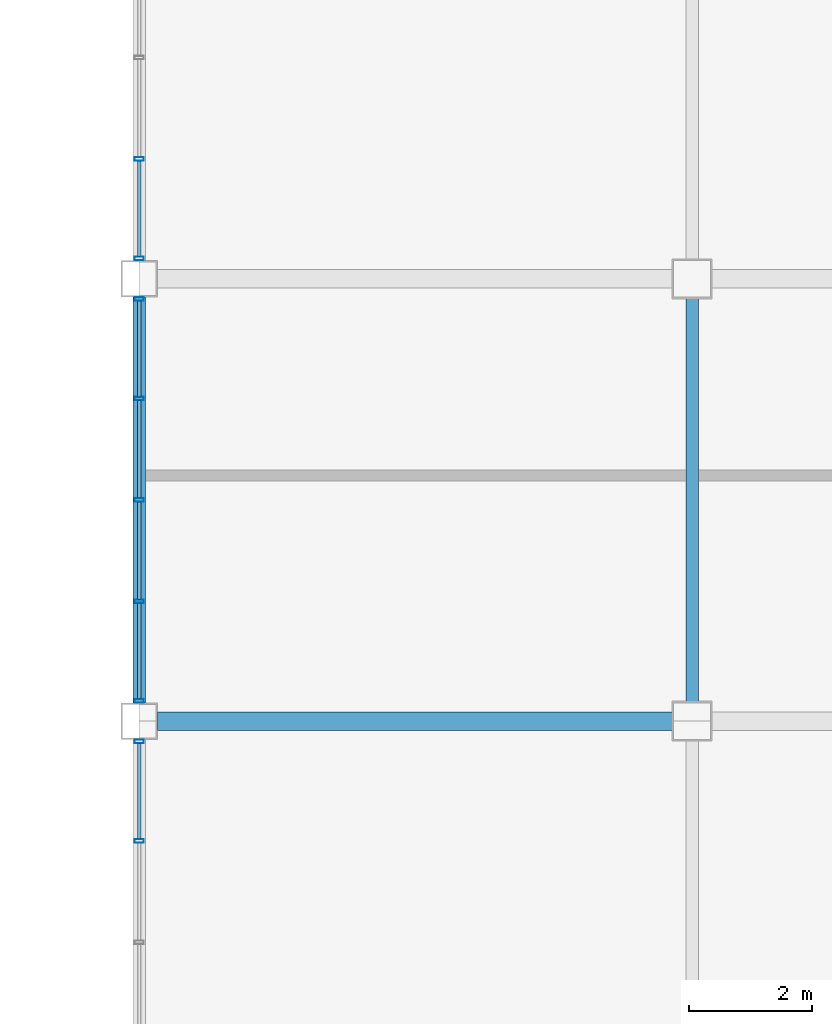
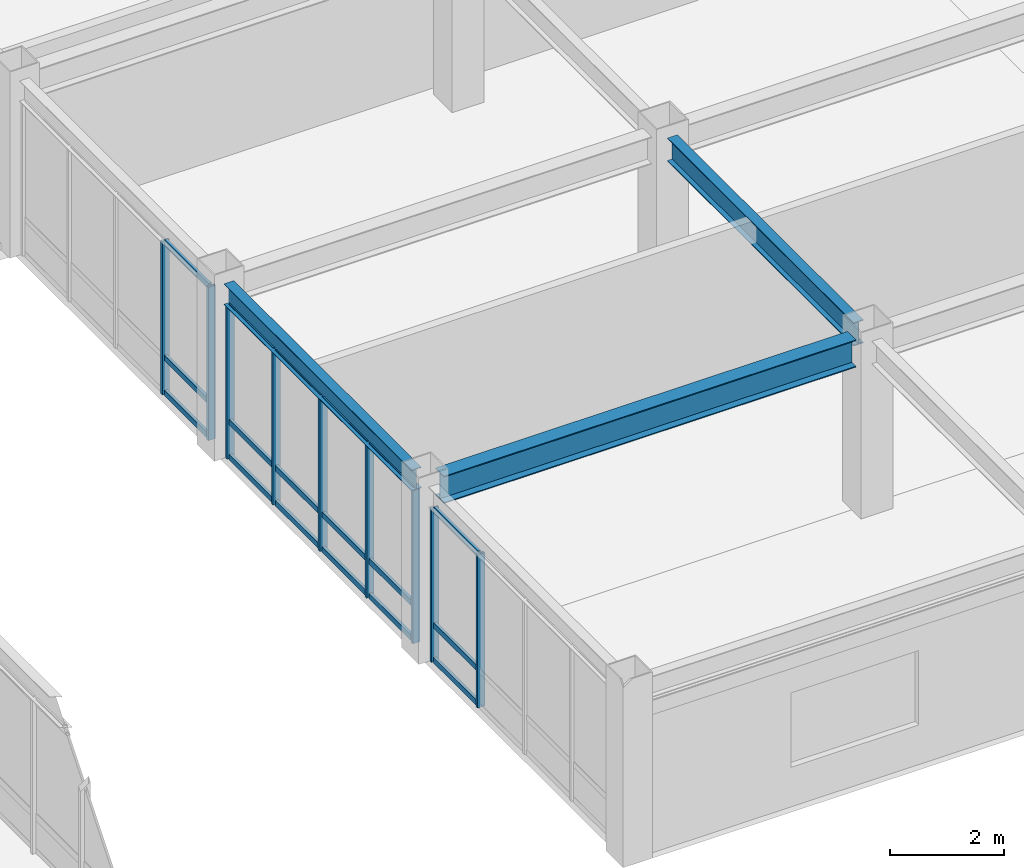
# One storey, part 50 of 113: 27 members, 3 beams, 3 elements without a shape of their own.
"""IFC4 building model written with IfcOpenShell, lengths in metres."""

from ifc_helpers import new_model, si_unit, direction, frame, origin, origin_2d, place, context, subcontext, project, spatial, hollow_rectangle, i_section, extrude, material, material_profile, profile_set, type_object, element, aggregate, save


model = new_model("IFC4")

# Units and contexts
model_context = context("Model", 3, precision=1e-05, world=origin(), true_north=direction((0.0, 1.0)))
body_context = subcontext(model_context, "Body", "Model", "MODEL_VIEW")
ifc_project = project(units=[si_unit("LENGTHUNIT", "METRE"), si_unit("AREAUNIT", "SQUARE_METRE"), si_unit("VOLUMEUNIT", "CUBIC_METRE"), si_unit("PLANEANGLEUNIT", "RADIAN"), si_unit("MASSUNIT", "GRAM", prefix="KILO")], contexts=[model_context])

# Site, building, storey
site_placement = place(None, origin())
site = spatial("IfcSite", under=ifc_project, at=site_placement, CompositionType="ELEMENT")
building_placement = place(site_placement, origin())
building = spatial("IfcBuilding", under=site, at=building_placement, Name="Kazanami Central Library", CompositionType="ELEMENT")
storey_placement = place(building_placement, frame((0.0, 0.0, 8.800048828125)))
storey = spatial("IfcBuildingStorey", under=building, at=storey_placement, Name="L03", CompositionType="ELEMENT", Elevation=8.800048828125)

# Beams
ifc_material_1 = material(Name="Steel SN490B (325 MPa)", Category="steel")
ifc_material_profile_1 = material_profile(ifc_material_1, i_section(OverallWidth=0.300048828125, OverallDepth=0.587890625, WebThickness=0.011962890625, FlangeThickness=0.02001953125, at=origin_2d()), Name="H-588x300x12x20")
ifc_profile_set_1 = profile_set([ifc_material_profile_1], Name="Steel SN490B (325 MPa)")
beam_type_1 = type_object("IfcBeamType", Name="BM-G-X2", PredefinedType="BEAM", material=ifc_profile_set_1)
beam_1_placement = place(storey_placement, frame((117.298095703125, 50.39990234375, 3.450927734375), z_axis=(1.0, 0.0, 0.0), x_axis=(0.0, 1.0, 0.0)))
element("IfcBeam", 1, at=beam_1_placement, inside=storey, type_object=beam_type_1, Name="Girder G-X2 L03 H/14-15", PredefinedType="BEAM", context=body_context, shape_type="SweptSolid", body=[
    extrude(i_section(OverallWidth=0.300048828125, OverallDepth=0.587890625, WebThickness=0.011962890625, FlangeThickness=0.02001953125, at=origin_2d()), origin(), (0.0, 0.0, 1.0), 8.37890625),
])
ifc_material_profile_2 = material_profile(ifc_material_1, i_section(OverallWidth=0.199951171875, OverallDepth=0.5, WebThickness=0.010009765625, FlangeThickness=0.01611328125, at=origin_2d()), Name="H-500x200x10x16")
ifc_profile_set_2 = profile_set([ifc_material_profile_2], Name="Steel SN490B (325 MPa)")
beam_type_2 = type_object("IfcBeamType", Name="BM-G-Y2", PredefinedType="BEAM", material=ifc_profile_set_2)
beam_2_placement = place(storey_placement, frame((126.0, 50.722900390625, 3.494873046875), z_axis=(0.0, 1.0, 0.0), x_axis=(-1.0, 0.0, 0.0)))
element("IfcBeam", 2, at=beam_2_placement, inside=storey, type_object=beam_type_2, Name="Girder G-Y2 L03 15/H-J", PredefinedType="BEAM", context=body_context, shape_type="SweptSolid", body=[
    extrude(i_section(OverallWidth=0.199951171875, OverallDepth=0.5, WebThickness=0.010009765625, FlangeThickness=0.01611328125, at=origin_2d()), origin(), (0.0, 0.0, 1.0), 6.55419921875),
])
ifc_material_profile_3 = material_profile(ifc_material_1, i_section(OverallWidth=0.199951171875, OverallDepth=0.449951171875, WebThickness=0.009033203125, FlangeThickness=0.013916015625, at=origin_2d()), Name="H-450x200x9x14")
ifc_profile_set_3 = profile_set([ifc_material_profile_3], Name="Steel SN490B (325 MPa)")
beam_type_3 = type_object("IfcBeamType", Name="BM-SP-2", PredefinedType="SPANDREL", material=ifc_profile_set_3)
beam_3_placement = place(storey_placement, frame((117.0, 50.697998046875, 3.52001953125), z_axis=(0.0, 1.0, 0.0), x_axis=(-1.0, 0.0, 0.0)))
element("IfcBeam", 3, at=beam_3_placement, inside=storey, type_object=beam_type_3, Name="Girder SP-2 L03 14/H-J", PredefinedType="SPANDREL", context=body_context, shape_type="SweptSolid", body=[
    extrude(i_section(OverallWidth=0.199951171875, OverallDepth=0.449951171875, WebThickness=0.009033203125, FlangeThickness=0.013916015625, at=origin_2d()), origin(), (0.0, 0.0, 1.0), 6.60400390625),
])

# Curtain wall, members
ifc_material_2 = material(Name="Acid-Etched Low-E Laminated Glass", Category="glass")
curtain_wall_type = type_object("IfcCurtainWallType", Name="CW-6600x3295-M180", PredefinedType="USERDEFINED", material=ifc_material_2)
curtain_wall_1_placement = place(storey_placement, origin())
curtain_wall_1 = element("IfcCurtainWall", 4, at=curtain_wall_1_placement, inside=storey, type_object=curtain_wall_type, Name="Covered Link Bridge Curtain Wall CW-36 L03 W-14-06", ObjectType="UNITISED CURTAIN WALL", PredefinedType="USERDEFINED")
ifc_material_3 = material(Name="Anodised Aluminium A6063-T5", Category="aluminium")
ifc_material_profile_4 = material_profile(ifc_material_3, hollow_rectangle(XDim=0.06005859375, YDim=0.14990234375, WallThickness=0.00390625, at=origin_2d()), Name="ALU-MULL-60x150x4")
ifc_profile_set_4 = profile_set([ifc_material_profile_4], Name="Anodised Aluminium A6063-T5")
member_type_1 = type_object("IfcMemberType", Name="MEM-CW-M3", PredefinedType="MULLION", material=ifc_profile_set_4)
member_1_placement = place(storey_placement, frame((117.0, 48.449951171875, 0.0), z_axis=(0.0, 0.0, 1.0), x_axis=(0.0, 1.0, 0.0)))
member_1 = element("IfcMember", 5, at=member_1_placement, type_object=member_type_1, Name="CW-36 mullion 4", PredefinedType="MULLION", context=body_context, shape_type="SweptSolid", body=[
    extrude(hollow_rectangle(XDim=0.06005859375, YDim=0.14990234375, WallThickness=0.00390625, at=origin_2d()), origin(), (0.0, 0.0, 1.0), 3.294921875),
])
member_2_placement = place(storey_placement, frame((117.0, 50.070068359375, 0.0), z_axis=(0.0, 0.0, 1.0), x_axis=(0.0, 1.0, 0.0)))
member_2 = element("IfcMember", 6, at=member_2_placement, type_object=member_type_1, Name="CW-36 mullion 5", PredefinedType="MULLION", context=body_context, shape_type="SweptSolid", body=[
    extrude(hollow_rectangle(XDim=0.06005859375, YDim=0.14990234375, WallThickness=0.00390625, at=origin_2d()), origin(), (0.0, 0.0, 1.0), 3.294921875),
])

curtain_wall_2_placement = place(storey_placement, origin())
curtain_wall_2 = element("IfcCurtainWall", 7, at=curtain_wall_2_placement, inside=storey, type_object=curtain_wall_type, Name="Covered Link Bridge Curtain Wall CW-36 L03 W-14-07", ObjectType="UNITISED CURTAIN WALL", PredefinedType="USERDEFINED")
member_3_placement = place(storey_placement, frame((117.0, 50.72998046875, 0.0), z_axis=(0.0, 0.0, 1.0), x_axis=(0.0, 1.0, 0.0)))
member_3 = element("IfcMember", 8, at=member_3_placement, type_object=member_type_1, Name="CW-36 mullion 1", PredefinedType="MULLION", context=body_context, shape_type="SweptSolid", body=[
    extrude(hollow_rectangle(XDim=0.06005859375, YDim=0.14990234375, WallThickness=0.00390625, at=origin_2d()), origin(), (0.0, 0.0, 1.0), 3.294921875),
])
member_4_placement = place(storey_placement, frame((117.0, 52.35009765625, 0.0), z_axis=(0.0, 0.0, 1.0), x_axis=(0.0, 1.0, 0.0)))
member_4 = element("IfcMember", 9, at=member_4_placement, type_object=member_type_1, Name="CW-36 mullion 2", PredefinedType="MULLION", context=body_context, shape_type="SweptSolid", body=[
    extrude(hollow_rectangle(XDim=0.06005859375, YDim=0.14990234375, WallThickness=0.00390625, at=origin_2d()), origin(), (0.0, 0.0, 1.0), 3.294921875),
])
member_5_placement = place(storey_placement, frame((117.0, 54.0, 0.0), z_axis=(0.0, 0.0, 1.0), x_axis=(0.0, 1.0, 0.0)))
member_5 = element("IfcMember", 10, at=member_5_placement, type_object=member_type_1, Name="CW-36 mullion 3", PredefinedType="MULLION", context=body_context, shape_type="SweptSolid", body=[
    extrude(hollow_rectangle(XDim=0.06005859375, YDim=0.14990234375, WallThickness=0.00390625, at=origin_2d()), origin(), (0.0, 0.0, 1.0), 3.294921875),
])
member_6_placement = place(storey_placement, frame((117.0, 55.64990234375, 0.0), z_axis=(0.0, 0.0, 1.0), x_axis=(0.0, 1.0, 0.0)))
member_6 = element("IfcMember", 11, at=member_6_placement, type_object=member_type_1, Name="CW-36 mullion 4", PredefinedType="MULLION", context=body_context, shape_type="SweptSolid", body=[
    extrude(hollow_rectangle(XDim=0.06005859375, YDim=0.14990234375, WallThickness=0.00390625, at=origin_2d()), origin(), (0.0, 0.0, 1.0), 3.294921875),
])
member_7_placement = place(storey_placement, frame((117.0, 57.27001953125, 0.0), z_axis=(0.0, 0.0, 1.0), x_axis=(0.0, 1.0, 0.0)))
member_7 = element("IfcMember", 12, at=member_7_placement, type_object=member_type_1, Name="CW-36 mullion 5", PredefinedType="MULLION", context=body_context, shape_type="SweptSolid", body=[
    extrude(hollow_rectangle(XDim=0.06005859375, YDim=0.14990234375, WallThickness=0.00390625, at=origin_2d()), origin(), (0.0, 0.0, 1.0), 3.294921875),
])

curtain_wall_3_placement = place(storey_placement, origin())
curtain_wall_3 = element("IfcCurtainWall", 13, at=curtain_wall_3_placement, inside=storey, type_object=curtain_wall_type, Name="Covered Link Bridge Curtain Wall CW-36 L03 W-14-08", ObjectType="UNITISED CURTAIN WALL", PredefinedType="USERDEFINED")
member_8_placement = place(storey_placement, frame((117.0, 57.929931640625, 0.0), z_axis=(0.0, 0.0, 1.0), x_axis=(0.0, 1.0, 0.0)))
member_8 = element("IfcMember", 14, at=member_8_placement, type_object=member_type_1, Name="CW-36 mullion 1", PredefinedType="MULLION", context=body_context, shape_type="SweptSolid", body=[
    extrude(hollow_rectangle(XDim=0.06005859375, YDim=0.14990234375, WallThickness=0.00390625, at=origin_2d()), origin(), (0.0, 0.0, 1.0), 3.294921875),
])
member_9_placement = place(storey_placement, frame((117.0, 59.550048828125, 0.0), z_axis=(0.0, 0.0, 1.0), x_axis=(0.0, 1.0, 0.0)))
member_9 = element("IfcMember", 15, at=member_9_placement, type_object=member_type_1, Name="CW-36 mullion 2", PredefinedType="MULLION", context=body_context, shape_type="SweptSolid", body=[
    extrude(hollow_rectangle(XDim=0.06005859375, YDim=0.14990234375, WallThickness=0.00390625, at=origin_2d()), origin(), (0.0, 0.0, 1.0), 3.294921875),
])

# Member
ifc_material_profile_5 = material_profile(ifc_material_3, hollow_rectangle(XDim=0.06005859375, YDim=0.1201171875, WallThickness=0.00341796875, at=origin_2d()), Name="ALU-TRAN-60x120x3.5")
ifc_profile_set_5 = profile_set([ifc_material_profile_5], Name="Anodised Aluminium A6063-T5")
member_type_2 = type_object("IfcMemberType", Name="MEM-CW-T3", PredefinedType="USERDEFINED", material=ifc_profile_set_5)
member_10_placement = place(storey_placement, frame((117.0, 48.47998046875, 0.030029296875), z_axis=(0.0, 1.0, 0.0), x_axis=(-1.0, 0.0, 0.0)))
member_10 = element("IfcMember", 16, at=member_10_placement, type_object=member_type_2, Name="CW-36 transom 4.1", ObjectType="TRANSOM", PredefinedType="USERDEFINED", context=body_context, shape_type="SweptSolid", body=[
    extrude(hollow_rectangle(XDim=0.06005859375, YDim=0.1201171875, WallThickness=0.00341796875, at=origin_2d()), origin(), (0.0, 0.0, 1.0), 1.56005859375),
])

member_11_placement = place(storey_placement, frame((117.0, 48.47998046875, 0.780029296875), z_axis=(0.0, 1.0, 0.0), x_axis=(-1.0, 0.0, 0.0)))
member_11 = element("IfcMember", 17, at=member_11_placement, type_object=member_type_2, Name="CW-36 transom 4.2", ObjectType="TRANSOM", PredefinedType="USERDEFINED", context=body_context, shape_type="SweptSolid", body=[
    extrude(hollow_rectangle(XDim=0.06005859375, YDim=0.1201171875, WallThickness=0.00341796875, at=origin_2d()), origin(), (0.0, 0.0, 1.0), 1.56005859375),
])

member_12_placement = place(storey_placement, frame((117.0, 48.47998046875, 3.264892578125), z_axis=(0.0, 1.0, 0.0), x_axis=(-1.0, 0.0, 0.0)))
member_12 = element("IfcMember", 18, at=member_12_placement, type_object=member_type_2, Name="CW-36 transom 4.3", ObjectType="TRANSOM", PredefinedType="USERDEFINED", context=body_context, shape_type="SweptSolid", body=[
    extrude(hollow_rectangle(XDim=0.06005859375, YDim=0.1201171875, WallThickness=0.00341796875, at=origin_2d()), origin(), (0.0, 0.0, 1.0), 1.56005859375),
])

aggregate(curtain_wall_1, [member_1, member_2, member_10, member_11, member_12])

member_13_placement = place(storey_placement, frame((117.0, 50.760009765625, 0.030029296875), z_axis=(0.0, 1.0, 0.0), x_axis=(-1.0, 0.0, 0.0)))
member_13 = element("IfcMember", 19, at=member_13_placement, type_object=member_type_2, Name="CW-36 transom 1.1", ObjectType="TRANSOM", PredefinedType="USERDEFINED", context=body_context, shape_type="SweptSolid", body=[
    extrude(hollow_rectangle(XDim=0.06005859375, YDim=0.1201171875, WallThickness=0.00341796875, at=origin_2d()), origin(), (0.0, 0.0, 1.0), 1.56005859375),
])

member_14_placement = place(storey_placement, frame((117.0, 50.760009765625, 0.780029296875), z_axis=(0.0, 1.0, 0.0), x_axis=(-1.0, 0.0, 0.0)))
member_14 = element("IfcMember", 20, at=member_14_placement, type_object=member_type_2, Name="CW-36 transom 1.2", ObjectType="TRANSOM", PredefinedType="USERDEFINED", context=body_context, shape_type="SweptSolid", body=[
    extrude(hollow_rectangle(XDim=0.06005859375, YDim=0.1201171875, WallThickness=0.00341796875, at=origin_2d()), origin(), (0.0, 0.0, 1.0), 1.56005859375),
])

member_15_placement = place(storey_placement, frame((117.0, 50.760009765625, 3.264892578125), z_axis=(0.0, 1.0, 0.0), x_axis=(-1.0, 0.0, 0.0)))
member_15 = element("IfcMember", 21, at=member_15_placement, type_object=member_type_2, Name="CW-36 transom 1.3", ObjectType="TRANSOM", PredefinedType="USERDEFINED", context=body_context, shape_type="SweptSolid", body=[
    extrude(hollow_rectangle(XDim=0.06005859375, YDim=0.1201171875, WallThickness=0.00341796875, at=origin_2d()), origin(), (0.0, 0.0, 1.0), 1.56005859375),
])

member_16_placement = place(storey_placement, frame((117.0, 52.3798828125, 0.030029296875), z_axis=(0.0, 1.0, 0.0), x_axis=(-1.0, 0.0, 0.0)))
member_16 = element("IfcMember", 22, at=member_16_placement, type_object=member_type_2, Name="CW-36 transom 2.1", ObjectType="TRANSOM", PredefinedType="USERDEFINED", context=body_context, shape_type="SweptSolid", body=[
    extrude(hollow_rectangle(XDim=0.06005859375, YDim=0.1201171875, WallThickness=0.00341796875, at=origin_2d()), origin(), (0.0, 0.0, 1.0), 1.590087890625),
])

member_17_placement = place(storey_placement, frame((117.0, 52.3798828125, 0.780029296875), z_axis=(0.0, 1.0, 0.0), x_axis=(-1.0, 0.0, 0.0)))
member_17 = element("IfcMember", 23, at=member_17_placement, type_object=member_type_2, Name="CW-36 transom 2.2", ObjectType="TRANSOM", PredefinedType="USERDEFINED", context=body_context, shape_type="SweptSolid", body=[
    extrude(hollow_rectangle(XDim=0.06005859375, YDim=0.1201171875, WallThickness=0.00341796875, at=origin_2d()), origin(), (0.0, 0.0, 1.0), 1.590087890625),
])

member_18_placement = place(storey_placement, frame((117.0, 52.3798828125, 3.264892578125), z_axis=(0.0, 1.0, 0.0), x_axis=(-1.0, 0.0, 0.0)))
member_18 = element("IfcMember", 24, at=member_18_placement, type_object=member_type_2, Name="CW-36 transom 2.3", ObjectType="TRANSOM", PredefinedType="USERDEFINED", context=body_context, shape_type="SweptSolid", body=[
    extrude(hollow_rectangle(XDim=0.06005859375, YDim=0.1201171875, WallThickness=0.00341796875, at=origin_2d()), origin(), (0.0, 0.0, 1.0), 1.590087890625),
])

member_19_placement = place(storey_placement, frame((117.0, 54.030029296875, 0.030029296875), z_axis=(0.0, 1.0, 0.0), x_axis=(-1.0, 0.0, 0.0)))
member_19 = element("IfcMember", 25, at=member_19_placement, type_object=member_type_2, Name="CW-36 transom 3.1", ObjectType="TRANSOM", PredefinedType="USERDEFINED", context=body_context, shape_type="SweptSolid", body=[
    extrude(hollow_rectangle(XDim=0.06005859375, YDim=0.1201171875, WallThickness=0.00341796875, at=origin_2d()), origin(), (0.0, 0.0, 1.0), 1.590087890625),
])

member_20_placement = place(storey_placement, frame((117.0, 54.030029296875, 0.780029296875), z_axis=(0.0, 1.0, 0.0), x_axis=(-1.0, 0.0, 0.0)))
member_20 = element("IfcMember", 26, at=member_20_placement, type_object=member_type_2, Name="CW-36 transom 3.2", ObjectType="TRANSOM", PredefinedType="USERDEFINED", context=body_context, shape_type="SweptSolid", body=[
    extrude(hollow_rectangle(XDim=0.06005859375, YDim=0.1201171875, WallThickness=0.00341796875, at=origin_2d()), origin(), (0.0, 0.0, 1.0), 1.590087890625),
])

member_21_placement = place(storey_placement, frame((117.0, 54.030029296875, 3.264892578125), z_axis=(0.0, 1.0, 0.0), x_axis=(-1.0, 0.0, 0.0)))
member_21 = element("IfcMember", 27, at=member_21_placement, type_object=member_type_2, Name="CW-36 transom 3.3", ObjectType="TRANSOM", PredefinedType="USERDEFINED", context=body_context, shape_type="SweptSolid", body=[
    extrude(hollow_rectangle(XDim=0.06005859375, YDim=0.1201171875, WallThickness=0.00341796875, at=origin_2d()), origin(), (0.0, 0.0, 1.0), 1.590087890625),
])

member_22_placement = place(storey_placement, frame((117.0, 55.679931640625, 0.030029296875), z_axis=(0.0, 1.0, 0.0), x_axis=(-1.0, 0.0, 0.0)))
member_22 = element("IfcMember", 28, at=member_22_placement, type_object=member_type_2, Name="CW-36 transom 4.1", ObjectType="TRANSOM", PredefinedType="USERDEFINED", context=body_context, shape_type="SweptSolid", body=[
    extrude(hollow_rectangle(XDim=0.06005859375, YDim=0.1201171875, WallThickness=0.00341796875, at=origin_2d()), origin(), (0.0, 0.0, 1.0), 1.56005859375),
])

member_23_placement = place(storey_placement, frame((117.0, 55.679931640625, 0.780029296875), z_axis=(0.0, 1.0, 0.0), x_axis=(-1.0, 0.0, 0.0)))
member_23 = element("IfcMember", 29, at=member_23_placement, type_object=member_type_2, Name="CW-36 transom 4.2", ObjectType="TRANSOM", PredefinedType="USERDEFINED", context=body_context, shape_type="SweptSolid", body=[
    extrude(hollow_rectangle(XDim=0.06005859375, YDim=0.1201171875, WallThickness=0.00341796875, at=origin_2d()), origin(), (0.0, 0.0, 1.0), 1.56005859375),
])

member_24_placement = place(storey_placement, frame((117.0, 55.679931640625, 3.264892578125), z_axis=(0.0, 1.0, 0.0), x_axis=(-1.0, 0.0, 0.0)))
member_24 = element("IfcMember", 30, at=member_24_placement, type_object=member_type_2, Name="CW-36 transom 4.3", ObjectType="TRANSOM", PredefinedType="USERDEFINED", context=body_context, shape_type="SweptSolid", body=[
    extrude(hollow_rectangle(XDim=0.06005859375, YDim=0.1201171875, WallThickness=0.00341796875, at=origin_2d()), origin(), (0.0, 0.0, 1.0), 1.56005859375),
])

aggregate(curtain_wall_2, [member_3, member_4, member_5, member_6, member_7, member_13, member_14, member_15, member_16, member_17, member_18, member_19, member_20, member_21, member_22, member_23, member_24])

member_25_placement = place(storey_placement, frame((117.0, 57.9599609375, 0.030029296875), z_axis=(0.0, 1.0, 0.0), x_axis=(-1.0, 0.0, 0.0)))
member_25 = element("IfcMember", 31, at=member_25_placement, type_object=member_type_2, Name="CW-36 transom 1.1", ObjectType="TRANSOM", PredefinedType="USERDEFINED", context=body_context, shape_type="SweptSolid", body=[
    extrude(hollow_rectangle(XDim=0.06005859375, YDim=0.1201171875, WallThickness=0.00341796875, at=origin_2d()), origin(), (0.0, 0.0, 1.0), 1.56005859375),
])

member_26_placement = place(storey_placement, frame((117.0, 57.9599609375, 0.780029296875), z_axis=(0.0, 1.0, 0.0), x_axis=(-1.0, 0.0, 0.0)))
member_26 = element("IfcMember", 32, at=member_26_placement, type_object=member_type_2, Name="CW-36 transom 1.2", ObjectType="TRANSOM", PredefinedType="USERDEFINED", context=body_context, shape_type="SweptSolid", body=[
    extrude(hollow_rectangle(XDim=0.06005859375, YDim=0.1201171875, WallThickness=0.00341796875, at=origin_2d()), origin(), (0.0, 0.0, 1.0), 1.56005859375),
])

member_27_placement = place(storey_placement, frame((117.0, 57.9599609375, 3.264892578125), z_axis=(0.0, 1.0, 0.0), x_axis=(-1.0, 0.0, 0.0)))
member_27 = element("IfcMember", 33, at=member_27_placement, type_object=member_type_2, Name="CW-36 transom 1.3", ObjectType="TRANSOM", PredefinedType="USERDEFINED", context=body_context, shape_type="SweptSolid", body=[
    extrude(hollow_rectangle(XDim=0.06005859375, YDim=0.1201171875, WallThickness=0.00341796875, at=origin_2d()), origin(), (0.0, 0.0, 1.0), 1.56005859375),
])

aggregate(curtain_wall_3, [member_8, member_9, member_25, member_26, member_27])

save(model, "model.ifc")
